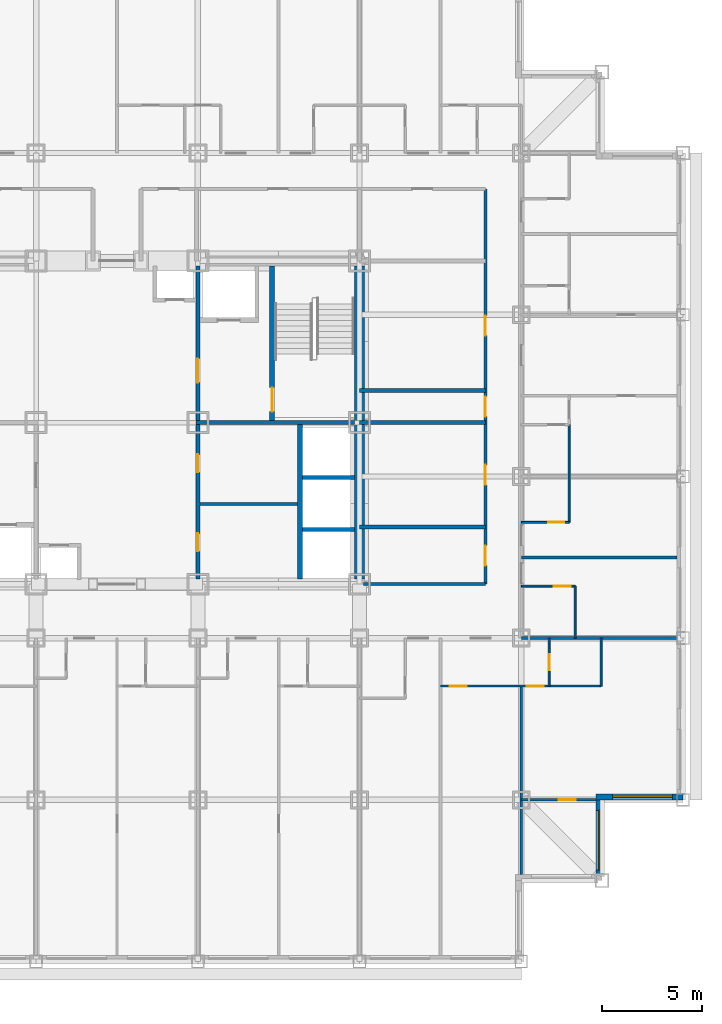
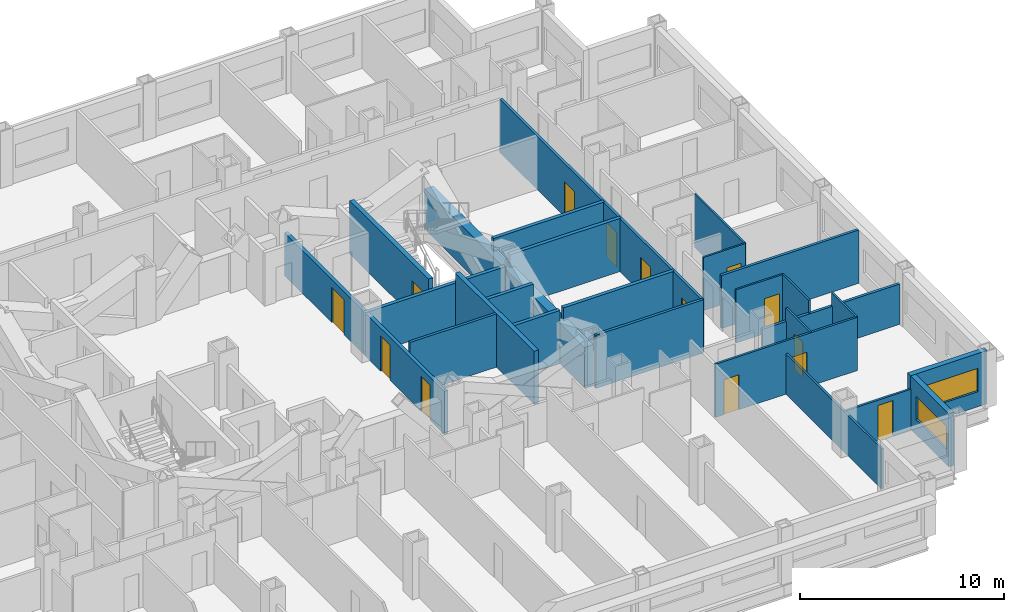
# One storey, part 7 of 12: 27 walls, 14 doors, 2 windows, 16 openings.
"""IFC4 building model written with IfcOpenShell, lengths in metres."""

from ifc_helpers import new_model, si_unit, direction, frame, frame_2d, origin, place, context, subcontext, project, spatial, rectangle, extrude, material, layer, layer_set, type_object, element, fill, save


model = new_model("IFC4")

# Units and contexts
model_context = context("Model", 3, precision=1e-05, world=origin(), true_north=direction((0.0, 1.0)))
body_context = subcontext(model_context, "Body", "Model", "MODEL_VIEW")
ifc_project = project(units=[si_unit("LENGTHUNIT", "METRE"), si_unit("AREAUNIT", "SQUARE_METRE"), si_unit("VOLUMEUNIT", "CUBIC_METRE"), si_unit("PLANEANGLEUNIT", "RADIAN"), si_unit("MASSUNIT", "GRAM", prefix="KILO")], contexts=[model_context])

# Site, building, storey
site_placement = place(None, origin())
site = spatial("IfcSite", under=ifc_project, at=site_placement, CompositionType="ELEMENT")
building_placement = place(site_placement, origin())
building = spatial("IfcBuilding", under=site, at=building_placement, Name="Kopane Lantern Tower", CompositionType="ELEMENT")
storey_placement = place(building_placement, frame((0.0, 0.0, 147.60009765625)))
storey = spatial("IfcBuildingStorey", under=building, at=storey_placement, Name="L38", CompositionType="ELEMENT", Elevation=147.60009765625)

# Wall, openings, doors
ifc_material_1 = material(Name="Gypsum board on steel studs", Category="steel")
ifc_layer_1 = layer(ifc_material_1, 0.1201171875)
ifc_layer_set_1 = layer_set([ifc_layer_1], Name="APARTMENT INTERNAL WALL 120")
wall_type_1 = type_object("IfcWallType", Name="APARTMENT INTERNAL WALL 120", PredefinedType="PARTITIONING", material=ifc_layer_set_1)
wall_1_placement = place(storey_placement, frame((44.550048828125, 19.199951171875, 0.0), z_axis=(0.0, 0.0, 1.0), x_axis=(1.0, 0.0, 0.0)))
wall_1 = element("IfcWall", 1, at=wall_1_placement, inside=storey, type_object=wall_type_1, Name="Apartment Internal Wall 120 L38", PredefinedType="PARTITIONING", context=body_context, shape_type="SweptSolid", body=[
    extrude(rectangle(XDim=8.050048828125, YDim=0.1201171875, at=frame_2d((4.02490234375, 0.0))), origin(), (0.0, 0.0, 1.0), 3.18994140625),
])
opening_1_placement = place(wall_1_placement, frame((0.47509765625, 0.0, 0.0)))
opening_1 = element("IfcOpeningElement", 2, at=opening_1_placement, cuts=wall_1, Name="Opening L38-062", PredefinedType="OPENING", context=body_context, shape_type="SweptSolid", body=[
    extrude(rectangle(XDim=0.85009765625, YDim=2.10009765625, at=frame_2d((0.425048828125, 1.050048828125))), frame((0.0, 0.070068359375, 0.0), z_axis=(0.0, -1.0, 0.0), x_axis=(1.0, 0.0, 0.0)), (0.0, 0.0, 1.0), 0.14013671875),
])
opening_2_placement = place(wall_1_placement, frame((4.324951171875, 0.0, 0.0)))
opening_2 = element("IfcOpeningElement", 3, at=opening_2_placement, cuts=wall_1, Name="Opening L38-064", PredefinedType="OPENING", context=body_context, shape_type="SweptSolid", body=[
    extrude(rectangle(XDim=0.85009765625, YDim=2.10009765625, at=frame_2d((0.425048828125, 1.050048828125))), frame((0.0, 0.070068359375, 0.0), z_axis=(0.0, -1.0, 0.0), x_axis=(1.0, 0.0, 0.0)), (0.0, 0.0, 1.0), 0.14013671875),
])
ifc_material_2 = material(Name="Timber door set", Category="wood")
door_type_1 = type_object("IfcDoorType", Name="DOOR D4 850x2100", OperationType="SINGLE_SWING_LEFT", PredefinedType="DOOR", material=ifc_material_2)
door_1_placement = place(opening_1_placement, origin())
door_1 = element("IfcDoor", 4, at=door_1_placement, inside=storey, type_object=door_type_1, Name="Door L38-062", OperationType="SINGLE_SWING_LEFT", OverallHeight=2.10009765625, OverallWidth=0.85009765625, PredefinedType="DOOR", context=body_context, shape_type="SweptSolid", body=[
    extrude(rectangle(XDim=0.85009765625, YDim=2.10009765625, at=frame_2d((0.425048828125, 1.050048828125))), frame((0.0, 0.02490234375, 0.0), z_axis=(0.0, -1.0, 0.0), x_axis=(1.0, 0.0, 0.0)), (0.0, 0.0, 1.0), 0.050048828125),
])
fill(opening_1, door_1)
door_2_placement = place(opening_2_placement, origin())
door_2 = element("IfcDoor", 5, at=door_2_placement, inside=storey, type_object=door_type_1, Name="Door L38-064", OperationType="SINGLE_SWING_RIGHT", OverallHeight=2.10009765625, OverallWidth=0.85009765625, PredefinedType="DOOR", context=body_context, shape_type="SweptSolid", body=[
    extrude(rectangle(XDim=0.85009765625, YDim=2.10009765625, at=frame_2d((0.425048828125, 1.050048828125))), frame((0.0, 0.02490234375, 0.0), z_axis=(0.0, -1.0, 0.0), x_axis=(1.0, 0.0, 0.0)), (0.0, 0.0, 1.0), 0.050048828125),
])
fill(opening_2, door_2)

# Wall
wall_2_placement = place(storey_placement, frame((48.60009765625, 19.199951171875, 0.0), z_axis=(0.0, 0.0, 1.0), x_axis=(0.0, -1.0, 0.0)))
element("IfcWall", 6, at=wall_2_placement, inside=storey, type_object=wall_type_1, Name="Apartment Internal Wall 120 L38", PredefinedType="PARTITIONING", context=body_context, shape_type="SweptSolid", body=[
    extrude(rectangle(XDim=9.449951171875, YDim=0.1201171875, at=frame_2d((4.72509765625, 0.0))), origin(), (0.0, 0.0, 1.0), 2.420166015625),
])

# Wall, opening, door
wall_3_placement = place(storey_placement, frame((48.60009765625, 13.5, 0.0), z_axis=(0.0, 0.0, 1.0), x_axis=(1.0, 0.0, 0.0)))
wall_3 = element("IfcWall", 7, at=wall_3_placement, inside=storey, type_object=wall_type_1, Name="Apartment Internal Wall 120 L38", PredefinedType="PARTITIONING", context=body_context, shape_type="SweptSolid", body=[
    extrude(rectangle(XDim=3.75, YDim=0.1201171875, at=frame_2d((1.875, 0.0))), origin(), (0.0, 0.0, 1.0), 2.420166015625),
])
opening_3_placement = place(wall_3_placement, frame((1.875, 0.0, 0.0)))
opening_3 = element("IfcOpeningElement", 8, at=opening_3_placement, cuts=wall_3, Name="Opening L38-065", PredefinedType="OPENING", context=body_context, shape_type="SweptSolid", body=[
    extrude(rectangle(XDim=0.85009765625, YDim=2.10009765625, at=frame_2d((0.425048828125, 1.050048828125))), frame((0.0, 0.070068359375, 0.0), z_axis=(0.0, -1.0, 0.0), x_axis=(1.0, 0.0, 0.0)), (0.0, 0.0, 1.0), 0.14013671875),
])
door_3_placement = place(opening_3_placement, origin())
door_3 = element("IfcDoor", 9, at=door_3_placement, inside=storey, type_object=door_type_1, Name="Door L38-065", OperationType="SINGLE_SWING_LEFT", OverallHeight=2.10009765625, OverallWidth=0.85009765625, PredefinedType="DOOR", context=body_context, shape_type="SweptSolid", body=[
    extrude(rectangle(XDim=0.85009765625, YDim=2.10009765625, at=frame_2d((0.425048828125, 1.050048828125))), frame((0.0, 0.02490234375, 0.0), z_axis=(0.0, -1.0, 0.0), x_axis=(1.0, 0.0, 0.0)), (0.0, 0.0, 1.0), 0.050048828125),
])
fill(opening_3, door_3)

# Wall
ifc_material_3 = material(Name="Moisture-resistant board on steel studs", Category="steel")
ifc_layer_2 = layer(ifc_material_3, 0.10009765625)
ifc_layer_set_2 = layer_set([ifc_layer_2], Name="BATHROOM WALL 100")
wall_type_2 = type_object("IfcWallType", Name="BATHROOM WALL 100", PredefinedType="PARTITIONING", material=ifc_layer_set_2)
wall_4_placement = place(storey_placement, frame((51.300048828125, 21.60009765625, 0.0), z_axis=(0.0, 0.0, 1.0), x_axis=(0.0, 1.0, 0.0)))
element("IfcWall", 10, at=wall_4_placement, inside=storey, type_object=wall_type_2, Name="Bathroom Wall 100 L38", PredefinedType="PARTITIONING", context=body_context, shape_type="SweptSolid", body=[
    extrude(rectangle(XDim=2.599853515625, YDim=0.10009765625, at=frame_2d((1.2998046875, 0.0))), origin(), (0.0, 0.0, 1.0), 3.18994140625),
])

# Wall, opening, door
wall_5_placement = place(storey_placement, frame((48.60009765625, 24.199951171875, 0.0), z_axis=(0.0, 0.0, 1.0), x_axis=(1.0, 0.0, 0.0)))
wall_5 = element("IfcWall", 11, at=wall_5_placement, inside=storey, type_object=wall_type_2, Name="Bathroom Wall 100 L38", PredefinedType="PARTITIONING", context=body_context, shape_type="SweptSolid", body=[
    extrude(rectangle(XDim=2.699951171875, YDim=0.10009765625, at=frame_2d((1.35009765625, 0.0))), origin(), (0.0, 0.0, 1.0), 3.18994140625),
])
opening_4_placement = place(wall_5_placement, frame((1.625, 0.0, 0.0)))
opening_4 = element("IfcOpeningElement", 12, at=opening_4_placement, cuts=wall_5, Name="Opening L38-045", PredefinedType="OPENING", context=body_context, shape_type="SweptSolid", body=[
    extrude(rectangle(XDim=0.85009765625, YDim=2.10009765625, at=frame_2d((0.425048828125, 1.050048828125))), frame((0.0, 0.06005859375, 0.0), z_axis=(0.0, -1.0, 0.0), x_axis=(1.0, 0.0, 0.0)), (0.0, 0.0, 1.0), 0.1201171875),
])
door_4_placement = place(opening_4_placement, origin())
door_4 = element("IfcDoor", 13, at=door_4_placement, inside=storey, type_object=door_type_1, Name="Door L38-045", OperationType="SINGLE_SWING_LEFT", OverallHeight=2.10009765625, OverallWidth=0.85009765625, PredefinedType="DOOR", context=body_context, shape_type="SweptSolid", body=[
    extrude(rectangle(XDim=0.85009765625, YDim=2.10009765625, at=frame_2d((0.425048828125, 1.050048828125))), frame((0.0, 0.02490234375, 0.0), z_axis=(0.0, -1.0, 0.0), x_axis=(1.0, 0.0, 0.0)), (0.0, 0.0, 1.0), 0.050048828125),
])
fill(opening_4, door_4)

# Wall
wall_6_placement = place(storey_placement, frame((51.0, 27.39990234375, 0.0), z_axis=(0.0, 0.0, 1.0), x_axis=(0.0, 1.0, 0.0)))
element("IfcWall", 14, at=wall_6_placement, inside=storey, type_object=wall_type_2, Name="Bathroom Wall 100 L38", PredefinedType="PARTITIONING", context=body_context, shape_type="SweptSolid", body=[
    extrude(rectangle(XDim=4.900146484375, YDim=0.10009765625, at=frame_2d((2.4501953125, 0.0))), origin(), (0.0, 0.0, 1.0), 3.18994140625),
])

# Wall, opening, door
wall_7_placement = place(storey_placement, frame((48.60009765625, 27.39990234375, 0.0), z_axis=(0.0, 0.0, 1.0), x_axis=(1.0, 0.0, 0.0)))
wall_7 = element("IfcWall", 15, at=wall_7_placement, inside=storey, type_object=wall_type_2, Name="Bathroom Wall 100 L38", PredefinedType="PARTITIONING", context=body_context, shape_type="SweptSolid", body=[
    extrude(rectangle(XDim=2.39990234375, YDim=0.10009765625, at=frame_2d((1.199951171875, 0.0))), origin(), (0.0, 0.0, 1.0), 3.18994140625),
])
opening_5_placement = place(wall_7_placement, frame((1.35009765625, 0.0, 0.0)))
opening_5 = element("IfcOpeningElement", 16, at=opening_5_placement, cuts=wall_7, Name="Opening L38-047", PredefinedType="OPENING", context=body_context, shape_type="SweptSolid", body=[
    extrude(rectangle(XDim=0.800048828125, YDim=2.10009765625, at=frame_2d((0.39990234375, 1.050048828125))), frame((0.0, 0.06005859375, 0.0), z_axis=(0.0, -1.0, 0.0), x_axis=(1.0, 0.0, 0.0)), (0.0, 0.0, 1.0), 0.1201171875),
])
ifc_material_4 = material(Name="Timber door set", Category="wood")
door_type_2 = type_object("IfcDoorType", Name="DOOR D2 800x2100", OperationType="SINGLE_SWING_LEFT", PredefinedType="DOOR", material=ifc_material_4)
door_5_placement = place(opening_5_placement, origin())
door_5 = element("IfcDoor", 17, at=door_5_placement, inside=storey, type_object=door_type_2, Name="Door L38-047", OperationType="SINGLE_SWING_RIGHT", OverallHeight=2.10009765625, OverallWidth=0.800048828125, PredefinedType="DOOR", context=body_context, shape_type="SweptSolid", body=[
    extrude(rectangle(XDim=0.800048828125, YDim=2.10009765625, at=frame_2d((0.39990234375, 1.050048828125))), frame((0.0, 0.02490234375, 0.0), z_axis=(0.0, -1.0, 0.0), x_axis=(1.0, 0.0, 0.0)), (0.0, 0.0, 1.0), 0.050048828125),
])
fill(opening_5, door_5)

wall_8_placement = place(storey_placement, frame((50.0, 21.60009765625, 0.0), z_axis=(0.0, 0.0, 1.0), x_axis=(0.0, -1.0, 0.0)))
wall_8 = element("IfcWall", 18, at=wall_8_placement, inside=storey, type_object=wall_type_2, Name="Bathroom Wall 100 L38", PredefinedType="PARTITIONING", context=body_context, shape_type="SweptSolid", body=[
    extrude(rectangle(XDim=2.400146484375, YDim=0.10009765625, at=frame_2d((1.2001953125, 0.0))), origin(), (0.0, 0.0, 1.0), 3.18994140625),
])
opening_6_placement = place(wall_8_placement, frame((0.800048828125, 0.0, 0.0)))
opening_6 = element("IfcOpeningElement", 19, at=opening_6_placement, cuts=wall_8, Name="Opening L38-063", PredefinedType="OPENING", context=body_context, shape_type="SweptSolid", body=[
    extrude(rectangle(XDim=0.800048828125, YDim=2.10009765625, at=frame_2d((0.39990234375, 1.050048828125))), frame((0.0, 0.06005859375, 0.0), z_axis=(0.0, -1.0, 0.0), x_axis=(1.0, 0.0, 0.0)), (0.0, 0.0, 1.0), 0.1201171875),
])
door_6_placement = place(opening_6_placement, origin())
door_6 = element("IfcDoor", 20, at=door_6_placement, inside=storey, type_object=door_type_2, Name="Door L38-063", OperationType="SINGLE_SWING_LEFT", OverallHeight=2.10009765625, OverallWidth=0.800048828125, PredefinedType="DOOR", context=body_context, shape_type="SweptSolid", body=[
    extrude(rectangle(XDim=0.800048828125, YDim=2.10009765625, at=frame_2d((0.39990234375, 1.050048828125))), frame((0.0, 0.02490234375, 0.0), z_axis=(0.0, -1.0, 0.0), x_axis=(1.0, 0.0, 0.0)), (0.0, 0.0, 1.0), 0.050048828125),
])
fill(opening_6, door_6)

# Walls
wall_9_placement = place(storey_placement, frame((52.60009765625, 21.60009765625, 0.0), z_axis=(0.0, 0.0, 1.0), x_axis=(0.0, -1.0, 0.0)))
element("IfcWall", 21, at=wall_9_placement, inside=storey, type_object=wall_type_2, Name="Bathroom Wall 100 L38", PredefinedType="PARTITIONING", context=body_context, shape_type="SweptSolid", body=[
    extrude(rectangle(XDim=2.400146484375, YDim=0.10009765625, at=frame_2d((1.2001953125, 0.0))), origin(), (0.0, 0.0, 1.0), 3.18994140625),
])
ifc_material_5 = material(Name="Gypsum shaft wall EI 120", Category="gypsum")
ifc_layer_3 = layer(ifc_material_5, 0.5)
ifc_layer_set_3 = layer_set([ifc_layer_3], Name="CORE PERIMETER WALL 500 EI 120")
wall_type_3 = type_object("IfcWallType", Name="CORE PERIMETER WALL 500 EI 120", PredefinedType="SOLIDWALL", material=ifc_layer_set_3)
wall_10_placement = place(storey_placement, frame((40.5, 24.550048828125, 0.0), z_axis=(0.0, 0.0, 1.0), x_axis=(0.0, 1.0, 0.0)))
element("IfcWall", 22, at=wall_10_placement, inside=storey, type_object=wall_type_3, Name="Core shaft wall L38 PE", PredefinedType="SOLIDWALL", context=body_context, shape_type="SweptSolid", body=[
    extrude(rectangle(XDim=15.699951171875, YDim=0.5, at=frame_2d((7.85009765625, 0.0))), origin(), (0.0, 0.0, 1.0), 2.420166015625),
])
ifc_material_6 = material(Name="Gypsum partition EI 60", Category="gypsum")
ifc_layer_4 = layer(ifc_material_6, 0.14990234375)
ifc_layer_set_4 = layer_set([ifc_layer_4], Name="CORE ROOM PARTITION 150 EI 60")
wall_type_4 = type_object("IfcWallType", Name="CORE ROOM PARTITION 150 EI 60", PredefinedType="PARTITIONING", material=ifc_layer_set_4)
wall_11_placement = place(storey_placement, frame((32.5, 28.324951171875, 0.0), z_axis=(0.0, 0.0, 1.0), x_axis=(1.0, 0.0, 0.0)))
element("IfcWall", 23, at=wall_11_placement, inside=storey, type_object=wall_type_4, Name="Core room partition L38 E1", PredefinedType="PARTITIONING", context=body_context, shape_type="SweptSolid", body=[
    extrude(rectangle(XDim=4.89990234375, YDim=0.14990234375, at=frame_2d((2.449951171875, 0.0))), origin(), (0.0, 0.0, 1.0), 3.18994140625),
])

# Wall, openings, doors
ifc_material_7 = material(Name="Gypsum partition EI 60", Category="gypsum")
ifc_layer_5 = layer(ifc_material_7, 0.199951171875)
ifc_layer_set_5 = layer_set([ifc_layer_5], Name="CORE ROOM WALL 200 EI 60")
wall_type_5 = type_object("IfcWallType", Name="CORE ROOM WALL 200 EI 60", PredefinedType="PARTITIONING", material=ifc_layer_set_5)
wall_12_placement = place(storey_placement, frame((32.39990234375, 24.550048828125, 0.0), z_axis=(0.0, 0.0, 1.0), x_axis=(0.0, 1.0, 0.0)))
wall_12 = element("IfcWall", 24, at=wall_12_placement, inside=storey, type_object=wall_type_5, Name="Core room wall L38 XE", PredefinedType="PARTITIONING", context=body_context, shape_type="SweptSolid", body=[
    extrude(rectangle(XDim=7.75, YDim=0.199951171875, at=frame_2d((3.875, 0.0))), origin(), (0.0, 0.0, 1.0), 2.57763671875),
])
opening_7_placement = place(wall_12_placement, frame((1.39990234375, 0.0, 0.0)))
opening_7 = element("IfcOpeningElement", 25, at=opening_7_placement, cuts=wall_12, Name="Opening 38.C20", PredefinedType="OPENING", context=body_context, shape_type="SweptSolid", body=[
    extrude(rectangle(XDim=0.89990234375, YDim=2.10009765625, at=frame_2d((0.449951171875, 1.050048828125))), frame((0.0, 0.10986328125, 0.0), z_axis=(0.0, -1.0, 0.0), x_axis=(1.0, 0.0, 0.0)), (0.0, 0.0, 1.0), 0.219970703125),
])
opening_8_placement = place(wall_12_placement, frame((5.35009765625, 0.0, 0.0)))
opening_8 = element("IfcOpeningElement", 26, at=opening_8_placement, cuts=wall_12, Name="Opening 38.C21", PredefinedType="OPENING", context=body_context, shape_type="SweptSolid", body=[
    extrude(rectangle(XDim=0.89990234375, YDim=2.10009765625, at=frame_2d((0.449951171875, 1.050048828125))), frame((0.0, 0.10986328125, 0.0), z_axis=(0.0, -1.0, 0.0), x_axis=(1.0, 0.0, 0.0)), (0.0, 0.0, 1.0), 0.219970703125),
])
ifc_material_8 = material(Name="Steel door set", Category="steel")
door_type_3 = type_object("IfcDoorType", Name="CORE ROOM DOOR 900x2100 FD60", OperationType="SINGLE_SWING_LEFT", PredefinedType="DOOR", material=ifc_material_8)
door_7_placement = place(opening_7_placement, origin())
door_7 = element("IfcDoor", 27, at=door_7_placement, inside=storey, type_object=door_type_3, Name="Door Linen store L38", OperationType="SINGLE_SWING_LEFT", OverallHeight=2.10009765625, OverallWidth=0.89990234375, PredefinedType="DOOR", context=body_context, shape_type="SweptSolid", body=[
    extrude(rectangle(XDim=0.89990234375, YDim=2.10009765625, at=frame_2d((0.449951171875, 1.050048828125))), frame((0.0, 0.02490234375, 0.0), z_axis=(0.0, -1.0, 0.0), x_axis=(1.0, 0.0, 0.0)), (0.0, 0.0, 1.0), 0.050048828125),
])
fill(opening_7, door_7)
door_8_placement = place(opening_8_placement, origin())
door_8 = element("IfcDoor", 28, at=door_8_placement, inside=storey, type_object=door_type_3, Name="Door Housekeeping store L38", OperationType="SINGLE_SWING_LEFT", OverallHeight=2.10009765625, OverallWidth=0.89990234375, PredefinedType="DOOR", context=body_context, shape_type="SweptSolid", body=[
    extrude(rectangle(XDim=0.89990234375, YDim=2.10009765625, at=frame_2d((0.449951171875, 1.050048828125))), frame((0.0, 0.02490234375, 0.0), z_axis=(0.0, -1.0, 0.0), x_axis=(1.0, 0.0, 0.0)), (0.0, 0.0, 1.0), 0.050048828125),
])
fill(opening_8, door_8)

# Wall
ifc_material_9 = material(Name="Gypsum shaft wall EI 120", Category="gypsum")
ifc_layer_6 = layer(ifc_material_9, 0.25)
ifc_layer_set_6 = layer_set([ifc_layer_6], Name="CORE SHAFT WALL 250 EI 120")
wall_type_6 = type_object("IfcWallType", Name="CORE SHAFT WALL 250 EI 120", PredefinedType="SOLIDWALL", material=ifc_layer_set_6)
wall_13_placement = place(storey_placement, frame((37.52490234375, 24.550048828125, 0.0), z_axis=(0.0, 0.0, 1.0), x_axis=(0.0, 1.0, 0.0)))
element("IfcWall", 29, at=wall_13_placement, inside=storey, type_object=wall_type_6, Name="Core shaft wall L38 XLR", PredefinedType="SOLIDWALL", context=body_context, shape_type="SweptSolid", body=[
    extrude(rectangle(XDim=7.75, YDim=0.25, at=frame_2d((3.875, 0.0))), origin(), (0.0, 0.0, 1.0), 3.18994140625),
])

# Wall, opening, door
wall_14_placement = place(storey_placement, frame((36.125, 32.5, 0.0), z_axis=(0.0, 0.0, 1.0), x_axis=(0.0, 1.0, 0.0)))
wall_14 = element("IfcWall", 30, at=wall_14_placement, inside=storey, type_object=wall_type_6, Name="Core shaft wall L38 XST2", PredefinedType="SOLIDWALL", context=body_context, shape_type="SweptSolid", body=[
    extrude(rectangle(XDim=7.75, YDim=0.25, at=frame_2d((3.875, 0.0))), origin(), (0.0, 0.0, 1.0), 3.18994140625),
])
opening_9_placement = place(wall_14_placement, frame((0.449951171875, 0.0, 0.0)))
opening_9 = element("IfcOpeningElement", 31, at=opening_9_placement, cuts=wall_14, Name="Opening 38.SD2", PredefinedType="OPENING", context=body_context, shape_type="SweptSolid", body=[
    extrude(rectangle(XDim=1.199951171875, YDim=2.10009765625, at=frame_2d((0.60009765625, 1.050048828125))), frame((0.0, 0.135009765625, 0.0), z_axis=(0.0, -1.0, 0.0), x_axis=(1.0, 0.0, 0.0)), (0.0, 0.0, 1.0), 0.27001953125),
])
ifc_material_10 = material(Name="Steel door set", Category="steel")
door_type_4 = type_object("IfcDoorType", Name="STAIR DOOR 1200x2100 FD60S", OperationType="SINGLE_SWING_LEFT", PredefinedType="DOOR", material=ifc_material_10)
door_9_placement = place(opening_9_placement, origin())
door_9 = element("IfcDoor", 32, at=door_9_placement, inside=storey, type_object=door_type_4, Name="Stair door ST2 L38", OperationType="SINGLE_SWING_RIGHT", OverallHeight=2.10009765625, OverallWidth=1.199951171875, PredefinedType="DOOR", context=body_context, shape_type="SweptSolid", body=[
    extrude(rectangle(XDim=1.199951171875, YDim=2.10009765625, at=frame_2d((0.60009765625, 1.050048828125))), frame((0.0, 0.02490234375, 0.0), z_axis=(0.0, -1.0, 0.0), x_axis=(1.0, 0.0, 0.0)), (0.0, 0.0, 1.0), 0.050048828125),
])
fill(opening_9, door_9)

# Wall, openings, doors
ifc_material_11 = material(Name="Gypsum board on steel studs", Category="steel")
ifc_layer_7 = layer(ifc_material_11, 0.14990234375)
ifc_layer_set_7 = layer_set([ifc_layer_7], Name="CORRIDOR WALL 150 EI 60")
wall_type_7 = type_object("IfcWallType", Name="CORRIDOR WALL 150 EI 60", PredefinedType="PARTITIONING", material=ifc_layer_set_7)
wall_15_placement = place(storey_placement, frame((46.800048828125, 24.300048828125, 0.0), z_axis=(0.0, 0.0, 1.0), x_axis=(0.0, 1.0, 0.0)))
wall_15 = element("IfcWall", 33, at=wall_15_placement, inside=storey, type_object=wall_type_7, Name="Corridor Wall 150 Ei 60 L38", PredefinedType="PARTITIONING", context=body_context, shape_type="SweptSolid", body=[
    extrude(rectangle(XDim=19.800048828125, YDim=0.14990234375, at=frame_2d((9.89990234375, 0.0))), origin(), (0.0, 0.0, 1.0), 3.18994140625),
])
opening_10_placement = place(wall_15_placement, frame((0.9287109375, 0.0, 0.0)))
opening_10 = element("IfcOpeningElement", 34, at=opening_10_placement, cuts=wall_15, Name="Opening L38-003", PredefinedType="OPENING", context=body_context, shape_type="SweptSolid", body=[
    extrude(rectangle(XDim=1.0, YDim=2.10009765625, at=frame_2d((0.5, 1.050048828125))), frame((0.0, 0.0849609375, 0.0), z_axis=(0.0, -1.0, 0.0), x_axis=(1.0, 0.0, 0.0)), (0.0, 0.0, 1.0), 0.169921875),
])
opening_11_placement = place(wall_15_placement, frame((4.978515625, 0.0, 0.0)))
opening_11 = element("IfcOpeningElement", 35, at=opening_11_placement, cuts=wall_15, Name="Opening L38-004", PredefinedType="OPENING", context=body_context, shape_type="SweptSolid", body=[
    extrude(rectangle(XDim=1.0, YDim=2.10009765625, at=frame_2d((0.5, 1.050048828125))), frame((0.0, 0.0849609375, 0.0), z_axis=(0.0, -1.0, 0.0), x_axis=(1.0, 0.0, 0.0)), (0.0, 0.0, 1.0), 0.169921875),
])
opening_12_placement = place(wall_15_placement, frame((8.39990234375, 0.0, 0.0)))
opening_12 = element("IfcOpeningElement", 36, at=opening_12_placement, cuts=wall_15, Name="Opening L38-005", PredefinedType="OPENING", context=body_context, shape_type="SweptSolid", body=[
    extrude(rectangle(XDim=1.0, YDim=2.10009765625, at=frame_2d((0.5, 1.050048828125))), frame((0.0, 0.0849609375, 0.0), z_axis=(0.0, -1.0, 0.0), x_axis=(1.0, 0.0, 0.0)), (0.0, 0.0, 1.0), 0.169921875),
])
opening_13_placement = place(wall_15_placement, frame((12.449951171875, 0.0, 0.0)))
opening_13 = element("IfcOpeningElement", 37, at=opening_13_placement, cuts=wall_15, Name="Opening L38-006", PredefinedType="OPENING", context=body_context, shape_type="SweptSolid", body=[
    extrude(rectangle(XDim=1.0, YDim=2.10009765625, at=frame_2d((0.5, 1.050048828125))), frame((0.0, 0.0849609375, 0.0), z_axis=(0.0, -1.0, 0.0), x_axis=(1.0, 0.0, 0.0)), (0.0, 0.0, 1.0), 0.169921875),
])
ifc_material_12 = material(Name="Steel door set", Category="steel")
door_type_5 = type_object("IfcDoorType", Name="DOOR D5 1000x2100 FD60", OperationType="SINGLE_SWING_LEFT", PredefinedType="DOOR", material=ifc_material_12)
door_10_placement = place(opening_10_placement, origin())
door_10 = element("IfcDoor", 38, at=door_10_placement, inside=storey, type_object=door_type_5, Name="Door L38-003", OperationType="SINGLE_SWING_LEFT", OverallHeight=2.10009765625, OverallWidth=1.0, PredefinedType="DOOR", context=body_context, shape_type="SweptSolid", body=[
    extrude(rectangle(XDim=1.0, YDim=2.10009765625, at=frame_2d((0.5, 1.050048828125))), frame((0.0, 0.02490234375, 0.0), z_axis=(0.0, -1.0, 0.0), x_axis=(1.0, 0.0, 0.0)), (0.0, 0.0, 1.0), 0.050048828125),
])
fill(opening_10, door_10)
door_11_placement = place(opening_11_placement, origin())
door_11 = element("IfcDoor", 39, at=door_11_placement, inside=storey, type_object=door_type_5, Name="Door L38-004", OperationType="SINGLE_SWING_RIGHT", OverallHeight=2.10009765625, OverallWidth=1.0, PredefinedType="DOOR", context=body_context, shape_type="SweptSolid", body=[
    extrude(rectangle(XDim=1.0, YDim=2.10009765625, at=frame_2d((0.5, 1.050048828125))), frame((0.0, 0.02490234375, 0.0), z_axis=(0.0, -1.0, 0.0), x_axis=(1.0, 0.0, 0.0)), (0.0, 0.0, 1.0), 0.050048828125),
])
fill(opening_11, door_11)
door_12_placement = place(opening_12_placement, origin())
door_12 = element("IfcDoor", 40, at=door_12_placement, inside=storey, type_object=door_type_5, Name="Door L38-005", OperationType="SINGLE_SWING_LEFT", OverallHeight=2.10009765625, OverallWidth=1.0, PredefinedType="DOOR", context=body_context, shape_type="SweptSolid", body=[
    extrude(rectangle(XDim=1.0, YDim=2.10009765625, at=frame_2d((0.5, 1.050048828125))), frame((0.0, 0.02490234375, 0.0), z_axis=(0.0, -1.0, 0.0), x_axis=(1.0, 0.0, 0.0)), (0.0, 0.0, 1.0), 0.050048828125),
])
fill(opening_12, door_12)
door_13_placement = place(opening_13_placement, origin())
door_13 = element("IfcDoor", 41, at=door_13_placement, inside=storey, type_object=door_type_5, Name="Door L38-006", OperationType="SINGLE_SWING_RIGHT", OverallHeight=2.10009765625, OverallWidth=1.0, PredefinedType="DOOR", context=body_context, shape_type="SweptSolid", body=[
    extrude(rectangle(XDim=1.0, YDim=2.10009765625, at=frame_2d((0.5, 1.050048828125))), frame((0.0, 0.02490234375, 0.0), z_axis=(0.0, -1.0, 0.0), x_axis=(1.0, 0.0, 0.0)), (0.0, 0.0, 1.0), 0.050048828125),
])
fill(opening_13, door_13)

# Walls
wall_16_placement = place(storey_placement, frame((40.699951171875, 24.300048828125, 0.0), z_axis=(0.0, 0.0, 1.0), x_axis=(1.0, 0.0, 0.0)))
element("IfcWall", 42, at=wall_16_placement, inside=storey, type_object=wall_type_7, Name="Corridor Wall 150 Ei 60 L38", PredefinedType="PARTITIONING", context=body_context, shape_type="SweptSolid", body=[
    extrude(rectangle(XDim=6.10009765625, YDim=0.14990234375, at=frame_2d((3.050048828125, 0.0))), origin(), (0.0, 0.0, 1.0), 3.18994140625),
])
ifc_material_13 = material(Name="Gypsum board on steel studs", Category="steel")
ifc_layer_8 = layer(ifc_material_13, 0.14990234375)
ifc_layer_set_8 = layer_set([ifc_layer_8], Name="DEMISING WALL 150 EI 60")
wall_type_8 = type_object("IfcWallType", Name="DEMISING WALL 150 EI 60", PredefinedType="PARTITIONING", material=ifc_layer_set_8)
wall_17_placement = place(storey_placement, frame((48.60009765625, 25.64990234375, 0.0), z_axis=(0.0, 0.0, 1.0), x_axis=(1.0, 0.0, 0.0)))
element("IfcWall", 43, at=wall_17_placement, inside=storey, type_object=wall_type_8, Name="Demising Wall 150 Ei 60 L38", PredefinedType="PARTITIONING", context=body_context, shape_type="SweptSolid", body=[
    extrude(rectangle(XDim=7.7998046875, YDim=0.14990234375, at=frame_2d((3.89990234375, 0.0))), origin(), (0.0, 0.0, 1.0), 3.18994140625),
])
wall_18_placement = place(storey_placement, frame((48.60009765625, 21.60009765625, 0.0), z_axis=(0.0, 0.0, 1.0), x_axis=(1.0, 0.0, 0.0)))
element("IfcWall", 44, at=wall_18_placement, inside=storey, type_object=wall_type_8, Name="Demising Wall 150 Ei 60 L38", PredefinedType="PARTITIONING", context=body_context, shape_type="SweptSolid", body=[
    extrude(rectangle(XDim=7.7998046875, YDim=0.14990234375, at=frame_2d((3.89990234375, 0.0))), origin(), (0.0, 0.0, 1.0), 2.420166015625),
])

# Wall, opening, window
ifc_material_14 = material(Name="Terracotta rainscreen on light steel framing", Category="masonry")
ifc_layer_9 = layer(ifc_material_14, 0.300048828125)
ifc_layer_set_9 = layer_set([ifc_layer_9], Name="EXTERNAL WALL EW1 300 TERRACOTTA")
wall_type_9 = type_object("IfcWallType", Name="EXTERNAL WALL EW1 300 TERRACOTTA", PredefinedType="SOLIDWALL", material=ifc_layer_set_9)
wall_19_placement = place(storey_placement, frame((52.5, 9.75, 0.0), z_axis=(0.0, 0.0, 1.0), x_axis=(0.0, 1.0, 0.0)))
wall_19 = element("IfcWall", 45, at=wall_19_placement, inside=storey, type_object=wall_type_9, Name="External wall E L38", PredefinedType="SOLIDWALL", context=body_context, shape_type="SweptSolid", body=[
    extrude(rectangle(XDim=3.75, YDim=0.300048828125, at=frame_2d((1.875, 0.0))), origin(), (0.0, 0.0, 1.0), 3.18994140625),
])
opening_14_placement = place(wall_19_placement, frame((0.22509765625, 0.0, 0.89990234375)))
opening_14 = element("IfcOpeningElement", 46, at=opening_14_placement, cuts=wall_19, Name="Opening WR300140", PredefinedType="OPENING", context=body_context, shape_type="SweptSolid", body=[
    extrude(rectangle(XDim=3.0, YDim=1.39990234375, at=frame_2d((1.5, 0.699951171875))), frame((0.0, 0.159912109375, 0.0), z_axis=(0.0, -1.0, 0.0), x_axis=(1.0, 0.0, 0.0)), (0.0, 0.0, 1.0), 0.320068359375),
])
ifc_material_15 = material(Name="Aluminium and clear glass", Category="aluminium")
window_type = type_object("IfcWindowType", Name="RIBBON WINDOW WR300140 3000x1400", PartitioningType="SINGLE_PANEL", PredefinedType="WINDOW", material=ifc_material_15)
window_1_placement = place(opening_14_placement, origin())
window_1 = element("IfcWindow", 47, at=window_1_placement, inside=storey, type_object=window_type, Name="Window E L38", OverallHeight=1.39990234375, OverallWidth=3.0, PartitioningType="SINGLE_PANEL", PredefinedType="WINDOW", context=body_context, shape_type="SweptSolid", body=[
    extrude(rectangle(XDim=3.0, YDim=1.39990234375, at=frame_2d((1.5, 0.699951171875))), frame((0.0, 0.030029296875, 0.0), z_axis=(0.0, -1.0, 0.0), x_axis=(1.0, 0.0, 0.0)), (0.0, 0.0, 1.0), 0.06005859375),
])
fill(opening_14, window_1)

wall_20_placement = place(storey_placement, frame((52.35009765625, 13.64990234375, 0.0), z_axis=(0.0, 0.0, 1.0), x_axis=(1.0, 0.0, 0.0)))
wall_20 = element("IfcWall", 48, at=wall_20_placement, inside=storey, type_object=wall_type_9, Name="External wall S L38", PredefinedType="SOLIDWALL", context=body_context, shape_type="SweptSolid", body=[
    extrude(rectangle(XDim=4.349853515625, YDim=0.300048828125, at=frame_2d((2.1748046875, 0.0))), origin(), (0.0, 0.0, 1.0), 3.18994140625),
])
opening_15_placement = place(wall_20_placement, frame((0.824951171875, 0.0, 0.89990234375)))
opening_15 = element("IfcOpeningElement", 49, at=opening_15_placement, cuts=wall_20, Name="Opening WR300140", PredefinedType="OPENING", context=body_context, shape_type="SweptSolid", body=[
    extrude(rectangle(XDim=3.0, YDim=1.39990234375, at=frame_2d((1.5, 0.699951171875))), frame((0.0, 0.159912109375, 0.0), z_axis=(0.0, -1.0, 0.0), x_axis=(1.0, 0.0, 0.0)), (0.0, 0.0, 1.0), 0.320068359375),
])
window_2_placement = place(opening_15_placement, origin())
window_2 = element("IfcWindow", 50, at=window_2_placement, inside=storey, type_object=window_type, Name="Window S L38", OverallHeight=1.39990234375, OverallWidth=3.0, PartitioningType="SINGLE_PANEL", PredefinedType="WINDOW", context=body_context, shape_type="SweptSolid", body=[
    extrude(rectangle(XDim=3.0, YDim=1.39990234375, at=frame_2d((1.5, 0.699951171875))), frame((0.0, 0.030029296875, 0.0), z_axis=(0.0, -1.0, 0.0), x_axis=(1.0, 0.0, 0.0)), (0.0, 0.0, 1.0), 0.06005859375),
])
fill(opening_15, window_2)

# Walls
ifc_material_16 = material(Name="Concrete masonry", Category="masonry")
ifc_layer_10 = layer(ifc_material_16, 0.199951171875)
ifc_layer_set_10 = layer_set([ifc_layer_10], Name="PLANT ROOM WALL 200 EI 120")
wall_type_10 = type_object("IfcWallType", Name="PLANT ROOM WALL 200 EI 120", PredefinedType="SOLIDWALL", material=ifc_layer_set_10)
for number, where, z_axis, x_axis, name in (
    (51, (40.5, 32.39990234375, 0.0), (0.0, 0.0, 1.0), (1.0, 0.0, 0.0), "Plant Room Wall 200 Ei 120 L38"),
    (52, (46.800048828125, 27.156982421875, 0.0), (0.0, 0.0, 1.0), (-1.0, 0.0, 0.0), "Plant Room Wall 200 Ei 120 L38"),
    (53, (46.800048828125, 34.0, 0.0), (0.0, 0.0, 1.0), (-1.0, 0.0, 0.0), "Plant Room Wall 200 Ei 120 L38"),
):
    element("IfcWall", number, at=place(storey_placement, frame(where, z_axis=z_axis, x_axis=x_axis)), inside=storey, type_object=wall_type_10, Name=name, PredefinedType="SOLIDWALL", context=body_context, shape_type="SweptSolid", body=[
        extrude(rectangle(XDim=6.300048828125, YDim=0.199951171875, at=frame_2d((3.14990234375, 0.0))), origin(), (0.0, 0.0, 1.0), 3.18994140625),
    ])
ifc_material_17 = material(Name="Gypsum shaft wall EI 120", Category="gypsum")
ifc_layer_11 = layer(ifc_material_17, 0.199951171875)
ifc_layer_set_11 = layer_set([ifc_layer_11], Name="SHAFT WALL 200 EI 120")
wall_type_11 = type_object("IfcWallType", Name="SHAFT WALL 200 EI 120", PredefinedType="SOLIDWALL", material=ifc_layer_set_11)
wall_21_placement = place(storey_placement, frame((32.300048828125, 32.39990234375, 0.0), z_axis=(0.0, 0.0, 1.0), x_axis=(1.0, 0.0, 0.0)))
element("IfcWall", 54, at=wall_21_placement, inside=storey, type_object=wall_type_11, Name="Core shaft wall L38 Y324E", PredefinedType="SOLIDWALL", context=body_context, shape_type="SweptSolid", body=[
    extrude(rectangle(XDim=7.949951171875, YDim=0.199951171875, at=frame_2d((3.97509765625, 0.0))), origin(), (0.0, 0.0, 1.0), 2.57763671875),
])

# Wall, opening, door
wall_22_placement = place(storey_placement, frame((32.39990234375, 32.5, 0.0), z_axis=(0.0, 0.0, 1.0), x_axis=(0.0, 1.0, 0.0)))
wall_22 = element("IfcWall", 55, at=wall_22_placement, inside=storey, type_object=wall_type_11, Name="Core shaft wall L38 X324", PredefinedType="SOLIDWALL", context=body_context, shape_type="SweptSolid", body=[
    extrude(rectangle(XDim=7.75, YDim=0.199951171875, at=frame_2d((3.875, 0.0))), origin(), (0.0, 0.0, 1.0), 2.57763671875),
])
opening_16_placement = place(wall_22_placement, frame((1.89990234375, 0.0, 0.0)))
opening_16 = element("IfcOpeningElement", 56, at=opening_16_placement, cuts=wall_22, Name="Opening 38.FL2", PredefinedType="OPENING", context=body_context, shape_type="SweptSolid", body=[
    extrude(rectangle(XDim=1.199951171875, YDim=2.10009765625, at=frame_2d((0.60009765625, 1.050048828125))), frame((0.0, 0.10986328125, 0.0), z_axis=(0.0, -1.0, 0.0), x_axis=(1.0, 0.0, 0.0)), (0.0, 0.0, 1.0), 0.219970703125),
])
ifc_material_18 = material(Name="Steel door set", Category="steel")
door_type_6 = type_object("IfcDoorType", Name="FIREFIGHTING LOBBY DOOR 1200x2100 FD60S", OperationType="SINGLE_SWING_RIGHT", PredefinedType="DOOR", material=ifc_material_18)
door_14_placement = place(opening_16_placement, origin())
door_14 = element("IfcDoor", 57, at=door_14_placement, inside=storey, type_object=door_type_6, Name="Firefighting lobby door FL2 L38", OperationType="SINGLE_SWING_LEFT", OverallHeight=2.10009765625, OverallWidth=1.199951171875, PredefinedType="DOOR", context=body_context, shape_type="SweptSolid", body=[
    extrude(rectangle(XDim=1.199951171875, YDim=2.10009765625, at=frame_2d((0.60009765625, 1.050048828125))), frame((0.0, 0.02490234375, 0.0), z_axis=(0.0, -1.0, 0.0), x_axis=(1.0, 0.0, 0.0)), (0.0, 0.0, 1.0), 0.050048828125),
])
fill(opening_16, door_14)

# Walls
for number, where, z_axis, x_axis, name in (
    (58, (37.64990234375, 27.050048828125, 0.0), (0.0, 0.0, 1.0), (1.0, 0.0, 0.0), "Core shaft wall L38 YLR12"),
    (59, (37.64990234375, 29.64990234375, 0.0), (0.0, 0.0, 1.0), (1.0, 0.0, 0.0), "Core shaft wall L38 YLR23"),
):
    element("IfcWall", number, at=place(storey_placement, frame(where, z_axis=z_axis, x_axis=x_axis)), inside=storey, type_object=wall_type_11, Name=name, PredefinedType="SOLIDWALL", context=body_context, shape_type="SweptSolid", body=[
        extrude(rectangle(XDim=2.60009765625, YDim=0.199951171875, at=frame_2d((1.300048828125, 0.0))), origin(), (0.0, 0.0, 1.0), 3.18994140625),
    ])

save(model, "model.ifc")
